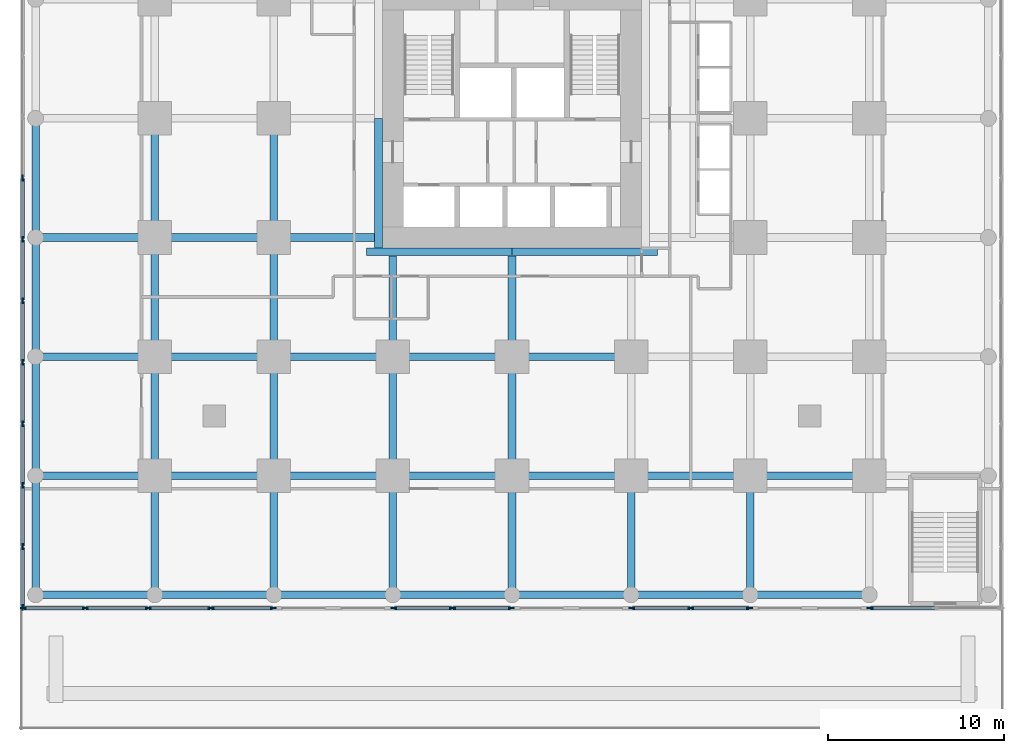
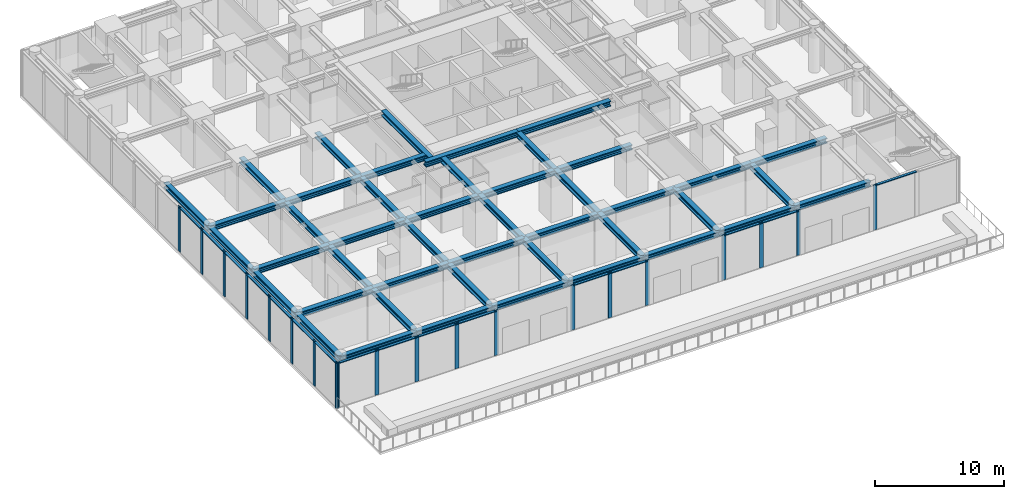
# One storey, part 2 of 10: 45 beams, 36 members, 5 elements without a shape of their own.
"""IFC4 building model written with IfcOpenShell, lengths in metres."""

from ifc_helpers import new_model, si_unit, direction, frame, origin, origin_2d, place, context, subcontext, project, spatial, rectangle, i_section, extrude, material, material_profile, profile_set, type_object, element, aggregate, save


model = new_model("IFC4")

# Units and contexts
model_context = context("Model", 3, precision=1e-05, world=origin(), true_north=direction((0.0, 1.0)))
body_context = subcontext(model_context, "Body", "Model", "MODEL_VIEW")
ifc_project = project(units=[si_unit("LENGTHUNIT", "METRE"), si_unit("AREAUNIT", "SQUARE_METRE"), si_unit("VOLUMEUNIT", "CUBIC_METRE"), si_unit("PLANEANGLEUNIT", "RADIAN"), si_unit("MASSUNIT", "GRAM", prefix="KILO")], contexts=[model_context])

# Site, building, storey
site_placement = place(None, origin())
site = spatial("IfcSite", under=ifc_project, at=site_placement, CompositionType="ELEMENT")
building_placement = place(site_placement, origin())
building = spatial("IfcBuilding", under=site, at=building_placement, Name="Nyansa Garden Tower", CompositionType="ELEMENT")
storey_placement = place(building_placement, frame((0.0, 0.0, 9.0)))
storey = spatial("IfcBuildingStorey", under=building, at=storey_placement, Name="L02", CompositionType="ELEMENT", Elevation=9.0)

# Curtain wall, members
ifc_material_1 = material(Name="Black anodised aluminium, clear double glazing", Category="aluminium")
curtain_wall_type = type_object("IfcCurtainWallType", Name="Podium curtain wall PCW", PredefinedType="USERDEFINED", material=ifc_material_1)
curtain_wall_1_placement = place(storey_placement, origin())
curtain_wall_1 = element("IfcCurtainWall", 1, at=curtain_wall_1_placement, inside=storey, type_object=curtain_wall_type, Name="Podium curtain wall L02 W", ObjectType="STICK CURTAIN WALL", PredefinedType="USERDEFINED")
ifc_material_2 = material(Name="Black anodised aluminium", Category="aluminium")
ifc_material_profile_1 = material_profile(ifc_material_2, rectangle(XDim=0.080078125, YDim=0.35009765625, at=origin_2d()), Name="Mullion 350x80")
ifc_profile_set_1 = profile_set([ifc_material_profile_1], Name="Black anodised aluminium")
member_type_1 = type_object("IfcMemberType", Name="Mullion PCW 350x80", PredefinedType="MULLION", material=ifc_profile_set_1)
member_1_placement = place(storey_placement, frame((-7.5, 16.875, 0.0), z_axis=(0.0, 0.0, 1.0), x_axis=(1.0, 0.0, 0.0)))
member_1 = element("IfcMember", 2, at=member_1_placement, type_object=member_type_1, Name="PCW mullion 8", PredefinedType="MULLION", context=body_context, shape_type="SweptSolid", body=[
    extrude(rectangle(XDim=0.080078125, YDim=0.35009765625, at=origin_2d()), origin(), (0.0, 0.0, 1.0), 4.25),
])
member_2_placement = place(storey_placement, frame((-7.5, 13.392822265625, 0.0), z_axis=(0.0, 0.0, 1.0), x_axis=(1.0, 0.0, 0.0)))
member_2 = element("IfcMember", 3, at=member_2_placement, type_object=member_type_1, Name="PCW mullion 9", PredefinedType="MULLION", context=body_context, shape_type="SweptSolid", body=[
    extrude(rectangle(XDim=0.080078125, YDim=0.35009765625, at=origin_2d()), origin(), (0.0, 0.0, 1.0), 4.25),
])
member_3_placement = place(storey_placement, frame((-7.5, 9.91064453125, 0.0), z_axis=(0.0, 0.0, 1.0), x_axis=(1.0, 0.0, 0.0)))
member_3 = element("IfcMember", 4, at=member_3_placement, type_object=member_type_1, Name="PCW mullion 10", PredefinedType="MULLION", context=body_context, shape_type="SweptSolid", body=[
    extrude(rectangle(XDim=0.080078125, YDim=0.35009765625, at=origin_2d()), origin(), (0.0, 0.0, 1.0), 4.25),
])
member_4_placement = place(storey_placement, frame((-7.5, 6.428466796875, 0.0), z_axis=(0.0, 0.0, 1.0), x_axis=(1.0, 0.0, 0.0)))
member_4 = element("IfcMember", 5, at=member_4_placement, type_object=member_type_1, Name="PCW mullion 11", PredefinedType="MULLION", context=body_context, shape_type="SweptSolid", body=[
    extrude(rectangle(XDim=0.080078125, YDim=0.35009765625, at=origin_2d()), origin(), (0.0, 0.0, 1.0), 4.25),
])
member_5_placement = place(storey_placement, frame((-7.5, 2.946533203125, 0.0), z_axis=(0.0, 0.0, 1.0), x_axis=(1.0, 0.0, 0.0)))
member_5 = element("IfcMember", 6, at=member_5_placement, type_object=member_type_1, Name="PCW mullion 12", PredefinedType="MULLION", context=body_context, shape_type="SweptSolid", body=[
    extrude(rectangle(XDim=0.080078125, YDim=0.35009765625, at=origin_2d()), origin(), (0.0, 0.0, 1.0), 4.25),
])
member_6_placement = place(storey_placement, frame((-7.5, -0.53564453125, 0.0), z_axis=(0.0, 0.0, 1.0), x_axis=(1.0, 0.0, 0.0)))
member_6 = element("IfcMember", 7, at=member_6_placement, type_object=member_type_1, Name="PCW mullion 13", PredefinedType="MULLION", context=body_context, shape_type="SweptSolid", body=[
    extrude(rectangle(XDim=0.080078125, YDim=0.35009765625, at=origin_2d()), origin(), (0.0, 0.0, 1.0), 4.25),
])
member_7_placement = place(storey_placement, frame((-7.5, -4.017822265625, 0.0), z_axis=(0.0, 0.0, 1.0), x_axis=(1.0, 0.0, 0.0)))
member_7 = element("IfcMember", 8, at=member_7_placement, type_object=member_type_1, Name="PCW mullion 14", PredefinedType="MULLION", context=body_context, shape_type="SweptSolid", body=[
    extrude(rectangle(XDim=0.080078125, YDim=0.35009765625, at=origin_2d()), origin(), (0.0, 0.0, 1.0), 4.25),
])
member_8_placement = place(storey_placement, frame((-7.5, -7.4599609375, 0.0), z_axis=(0.0, 0.0, 1.0), x_axis=(1.0, 0.0, 0.0)))
member_8 = element("IfcMember", 9, at=member_8_placement, type_object=member_type_1, Name="PCW mullion 15", PredefinedType="MULLION", context=body_context, shape_type="SweptSolid", body=[
    extrude(rectangle(XDim=0.080078125, YDim=0.35009765625, at=origin_2d()), origin(), (0.0, 0.0, 1.0), 4.25),
])

curtain_wall_2_placement = place(storey_placement, origin())
curtain_wall_2 = element("IfcCurtainWall", 10, at=curtain_wall_2_placement, inside=storey, type_object=curtain_wall_type, Name="Podium curtain wall L02 S", ObjectType="STICK CURTAIN WALL", PredefinedType="USERDEFINED")
member_9_placement = place(storey_placement, frame((-7.4599609375, -7.5, 0.0), z_axis=(0.0, 0.0, 1.0), x_axis=(0.0, 1.0, 0.0)))
member_9 = element("IfcMember", 11, at=member_9_placement, type_object=member_type_1, Name="PCW mullion 1", PredefinedType="MULLION", context=body_context, shape_type="SweptSolid", body=[
    extrude(rectangle(XDim=0.080078125, YDim=0.35009765625, at=origin_2d()), origin(), (0.0, 0.0, 1.0), 4.25),
])
member_10_placement = place(storey_placement, frame((-3.9375, -7.5, 0.0), z_axis=(0.0, 0.0, 1.0), x_axis=(0.0, 1.0, 0.0)))
member_10 = element("IfcMember", 12, at=member_10_placement, type_object=member_type_1, Name="PCW mullion 2", PredefinedType="MULLION", context=body_context, shape_type="SweptSolid", body=[
    extrude(rectangle(XDim=0.080078125, YDim=0.35009765625, at=origin_2d()), origin(), (0.0, 0.0, 1.0), 4.25),
])
member_11_placement = place(storey_placement, frame((-0.375, -7.5, 0.0), z_axis=(0.0, 0.0, 1.0), x_axis=(0.0, 1.0, 0.0)))
member_11 = element("IfcMember", 13, at=member_11_placement, type_object=member_type_1, Name="PCW mullion 3", PredefinedType="MULLION", context=body_context, shape_type="SweptSolid", body=[
    extrude(rectangle(XDim=0.080078125, YDim=0.35009765625, at=origin_2d()), origin(), (0.0, 0.0, 1.0), 4.25),
])
member_12_placement = place(storey_placement, frame((3.1875, -7.5, 0.0), z_axis=(0.0, 0.0, 1.0), x_axis=(0.0, 1.0, 0.0)))
member_12 = element("IfcMember", 14, at=member_12_placement, type_object=member_type_1, Name="PCW mullion 4", PredefinedType="MULLION", context=body_context, shape_type="SweptSolid", body=[
    extrude(rectangle(XDim=0.080078125, YDim=0.35009765625, at=origin_2d()), origin(), (0.0, 0.0, 1.0), 4.25),
])
member_13_placement = place(storey_placement, frame((6.7099609375, -7.5, 0.0), z_axis=(0.0, 0.0, 1.0), x_axis=(0.0, 1.0, 0.0)))
member_13 = element("IfcMember", 15, at=member_13_placement, type_object=member_type_1, Name="PCW mullion 5", PredefinedType="MULLION", context=body_context, shape_type="SweptSolid", body=[
    extrude(rectangle(XDim=0.080078125, YDim=0.35009765625, at=origin_2d()), origin(), (0.0, 0.0, 1.0), 4.25),
])

curtain_wall_3_placement = place(storey_placement, origin())
curtain_wall_3 = element("IfcCurtainWall", 16, at=curtain_wall_3_placement, inside=storey, type_object=curtain_wall_type, Name="Podium curtain wall L02 S", ObjectType="STICK CURTAIN WALL", PredefinedType="USERDEFINED")
member_14_placement = place(storey_placement, frame((13.5400390625, -7.5, 0.0), z_axis=(0.0, 0.0, 1.0), x_axis=(0.0, 1.0, 0.0)))
member_14 = element("IfcMember", 17, at=member_14_placement, type_object=member_type_1, Name="PCW mullion 1", PredefinedType="MULLION", context=body_context, shape_type="SweptSolid", body=[
    extrude(rectangle(XDim=0.080078125, YDim=0.35009765625, at=origin_2d()), origin(), (0.0, 0.0, 1.0), 4.25),
])
member_15_placement = place(storey_placement, frame((16.875, -7.5, 0.0), z_axis=(0.0, 0.0, 1.0), x_axis=(0.0, 1.0, 0.0)))
member_15 = element("IfcMember", 18, at=member_15_placement, type_object=member_type_1, Name="PCW mullion 2", PredefinedType="MULLION", context=body_context, shape_type="SweptSolid", body=[
    extrude(rectangle(XDim=0.080078125, YDim=0.35009765625, at=origin_2d()), origin(), (0.0, 0.0, 1.0), 4.25),
])
member_16_placement = place(storey_placement, frame((20.2099609375, -7.5, 0.0), z_axis=(0.0, 0.0, 1.0), x_axis=(0.0, 1.0, 0.0)))
member_16 = element("IfcMember", 19, at=member_16_placement, type_object=member_type_1, Name="PCW mullion 3", PredefinedType="MULLION", context=body_context, shape_type="SweptSolid", body=[
    extrude(rectangle(XDim=0.080078125, YDim=0.35009765625, at=origin_2d()), origin(), (0.0, 0.0, 1.0), 4.25),
])

curtain_wall_4_placement = place(storey_placement, origin())
curtain_wall_4 = element("IfcCurtainWall", 20, at=curtain_wall_4_placement, inside=storey, type_object=curtain_wall_type, Name="Podium curtain wall L02 S", ObjectType="STICK CURTAIN WALL", PredefinedType="USERDEFINED")
member_17_placement = place(storey_placement, frame((27.0400390625, -7.5, 0.0), z_axis=(0.0, 0.0, 1.0), x_axis=(0.0, 1.0, 0.0)))
member_17 = element("IfcMember", 21, at=member_17_placement, type_object=member_type_1, Name="PCW mullion 1", PredefinedType="MULLION", context=body_context, shape_type="SweptSolid", body=[
    extrude(rectangle(XDim=0.080078125, YDim=0.35009765625, at=origin_2d()), origin(), (0.0, 0.0, 1.0), 4.25),
])
member_18_placement = place(storey_placement, frame((30.375, -7.5, 0.0), z_axis=(0.0, 0.0, 1.0), x_axis=(0.0, 1.0, 0.0)))
member_18 = element("IfcMember", 22, at=member_18_placement, type_object=member_type_1, Name="PCW mullion 2", PredefinedType="MULLION", context=body_context, shape_type="SweptSolid", body=[
    extrude(rectangle(XDim=0.080078125, YDim=0.35009765625, at=origin_2d()), origin(), (0.0, 0.0, 1.0), 4.25),
])
member_19_placement = place(storey_placement, frame((33.7099609375, -7.5, 0.0), z_axis=(0.0, 0.0, 1.0), x_axis=(0.0, 1.0, 0.0)))
member_19 = element("IfcMember", 23, at=member_19_placement, type_object=member_type_1, Name="PCW mullion 3", PredefinedType="MULLION", context=body_context, shape_type="SweptSolid", body=[
    extrude(rectangle(XDim=0.080078125, YDim=0.35009765625, at=origin_2d()), origin(), (0.0, 0.0, 1.0), 4.25),
])

# Curtain wall, member
curtain_wall_5_placement = place(storey_placement, origin())
curtain_wall_5 = element("IfcCurtainWall", 24, at=curtain_wall_5_placement, inside=storey, type_object=curtain_wall_type, Name="Podium curtain wall L02 S", ObjectType="STICK CURTAIN WALL", PredefinedType="USERDEFINED")
member_20_placement = place(storey_placement, frame((40.5400390625, -7.5, 0.0), z_axis=(0.0, 0.0, 1.0), x_axis=(0.0, 1.0, 0.0)))
member_20 = element("IfcMember", 25, at=member_20_placement, type_object=member_type_1, Name="PCW mullion 1", PredefinedType="MULLION", context=body_context, shape_type="SweptSolid", body=[
    extrude(rectangle(XDim=0.080078125, YDim=0.35009765625, at=origin_2d()), origin(), (0.0, 0.0, 1.0), 4.25),
])

# Beams
ifc_material_3 = material(Name="Steel S355", Category="steel")
ifc_material_profile_2 = material_profile(ifc_material_3, i_section(OverallWidth=0.431884765625, OverallDepth=0.498046875, WebThickness=0.0556640625, FlangeThickness=0.0888671875, FilletRadius=0.014892578125, at=origin_2d()), Name="HD 400x744")
ifc_profile_set_2 = profile_set([ifc_material_profile_2], Name="Steel S355")
beam_type_1 = type_object("IfcBeamType", Name="Steel beam SBP1-744 HD 400x744", PredefinedType="BEAM", material=ifc_profile_set_2)
for number, where, z_axis, x_axis, name in (
    (26, (-6.75, 0.0, 4.0009765625), (1.0, 0.0, 0.0), (0.0, 1.0, 0.0), "Steel beam 1/D-2/D L03"),
    (27, (-6.75, 6.75, 4.0009765625), (1.0, 0.0, 0.0), (0.0, 1.0, 0.0), "Steel beam 1/E-2/E L03"),
    (28, (-6.75, 13.5, 4.0009765625), (1.0, 0.0, 0.0), (0.0, 1.0, 0.0), "Steel beam 1/F-2/F L03"),
    (29, (0.0, -6.75, 4.0009765625), (0.0, 1.0, 0.0), (-1.0, 0.0, 0.0), "Steel beam 2/C-2/D L03"),
    (30, (0.0, 0.0, 4.0009765625), (0.0, 1.0, 0.0), (-1.0, 0.0, 0.0), "Steel beam 2/D-2/E L03"),
    (31, (0.0, 0.0, 4.0009765625), (1.0, 0.0, 0.0), (0.0, 1.0, 0.0), "Steel beam 2/D-3/D L03"),
    (32, (0.0, 6.75, 4.0009765625), (0.0, 1.0, 0.0), (-1.0, 0.0, 0.0), "Steel beam 2/E-2/F L03"),
    (33, (0.0, 6.75, 4.0009765625), (1.0, 0.0, 0.0), (0.0, 1.0, 0.0), "Steel beam 2/E-3/E L03"),
    (34, (0.0, 13.5, 4.0009765625), (0.0, 1.0, 0.0), (-1.0, 0.0, 0.0), "Steel beam 2/F-2/G L03"),
    (35, (0.0, 13.5, 4.0009765625), (1.0, 0.0, 0.0), (0.0, 1.0, 0.0), "Steel beam 2/F-3/F L03"),
    (36, (6.75, -6.75, 4.0009765625), (0.0, 1.0, 0.0), (-1.0, 0.0, 0.0), "Steel beam 3/C-3/D L03"),
    (37, (6.75, 0.0, 4.0009765625), (0.0, 1.0, 0.0), (-1.0, 0.0, 0.0), "Steel beam 3/D-3/E L03"),
    (38, (6.75, 0.0, 4.0009765625), (1.0, 0.0, 0.0), (0.0, 1.0, 0.0), "Steel beam 3/D-4/D L03"),
    (39, (6.75, 6.75, 4.0009765625), (0.0, 1.0, 0.0), (-1.0, 0.0, 0.0), "Steel beam 3/E-3/F L03"),
    (40, (6.75, 6.75, 4.0009765625), (1.0, 0.0, 0.0), (0.0, 1.0, 0.0), "Steel beam 3/E-4/E L03"),
    (41, (6.75, 13.5, 4.0009765625), (0.0, 1.0, 0.0), (-1.0, 0.0, 0.0), "Steel beam 3/F-3/G L03"),
):
    element("IfcBeam", number, at=place(storey_placement, frame(where, z_axis=z_axis, x_axis=x_axis)), inside=storey, type_object=beam_type_1, Name=name, PredefinedType="BEAM", context=body_context, shape_type="SweptSolid", body=[
        extrude(i_section(OverallWidth=0.431884765625, OverallDepth=0.498046875, WebThickness=0.0556640625, FlangeThickness=0.0888671875, FilletRadius=0.014892578125, at=origin_2d()), origin(), (0.0, 0.0, 1.0), 6.75),
    ])
beam_1_placement = place(storey_placement, frame((6.75, 13.5, 4.0009765625), z_axis=(1.0, 0.0, 0.0), x_axis=(0.0, 1.0, 0.0)))
element("IfcBeam", 42, at=beam_1_placement, inside=storey, type_object=beam_type_1, Name="Steel beam 3/F-12.450/F L03", PredefinedType="BEAM", context=body_context, shape_type="SweptSolid", body=[
    extrude(i_section(OverallWidth=0.431884765625, OverallDepth=0.498046875, WebThickness=0.0556640625, FlangeThickness=0.0888671875, FilletRadius=0.014892578125, at=origin_2d()), origin(), (0.0, 0.0, 1.0), 5.699951171875),
])
for number, where, z_axis, x_axis, name in (
    (43, (13.5, -6.75, 4.0009765625), (0.0, 1.0, 0.0), (-1.0, 0.0, 0.0), "Steel beam 4/C-4/D L03"),
    (44, (13.5, 0.0, 4.0009765625), (0.0, 1.0, 0.0), (-1.0, 0.0, 0.0), "Steel beam 4/D-4/E L03"),
    (45, (13.5, 0.0, 4.0009765625), (1.0, 0.0, 0.0), (0.0, 1.0, 0.0), "Steel beam 4/D-5/D L03"),
):
    element("IfcBeam", number, at=place(storey_placement, frame(where, z_axis=z_axis, x_axis=x_axis)), inside=storey, type_object=beam_type_1, Name=name, PredefinedType="BEAM", context=body_context, shape_type="SweptSolid", body=[
        extrude(i_section(OverallWidth=0.431884765625, OverallDepth=0.498046875, WebThickness=0.0556640625, FlangeThickness=0.0888671875, FilletRadius=0.014892578125, at=origin_2d()), origin(), (0.0, 0.0, 1.0), 6.75),
    ])
beam_2_placement = place(storey_placement, frame((13.5, 6.75, 4.0009765625), z_axis=(0.0, 1.0, 0.0), x_axis=(-1.0, 0.0, 0.0)))
element("IfcBeam", 46, at=beam_2_placement, inside=storey, type_object=beam_type_1, Name="Steel beam 4/E-4/12.450 L03", PredefinedType="BEAM", context=body_context, shape_type="SweptSolid", body=[
    extrude(i_section(OverallWidth=0.431884765625, OverallDepth=0.498046875, WebThickness=0.0556640625, FlangeThickness=0.0888671875, FilletRadius=0.014892578125, at=origin_2d()), origin(), (0.0, 0.0, 1.0), 5.699951171875),
])
for number, where, z_axis, x_axis, name in (
    (47, (13.5, 6.75, 4.0009765625), (1.0, 0.0, 0.0), (0.0, 1.0, 0.0), "Steel beam 4/E-5/E L03"),
    (48, (20.25, -6.75, 4.0009765625), (0.0, 1.0, 0.0), (-1.0, 0.0, 0.0), "Steel beam 5/C-5/D L03"),
    (49, (20.25, 0.0, 4.0009765625), (0.0, 1.0, 0.0), (-1.0, 0.0, 0.0), "Steel beam 5/D-5/E L03"),
    (50, (20.25, 0.0, 4.0009765625), (1.0, 0.0, 0.0), (0.0, 1.0, 0.0), "Steel beam 5/D-6/D L03"),
):
    element("IfcBeam", number, at=place(storey_placement, frame(where, z_axis=z_axis, x_axis=x_axis)), inside=storey, type_object=beam_type_1, Name=name, PredefinedType="BEAM", context=body_context, shape_type="SweptSolid", body=[
        extrude(i_section(OverallWidth=0.431884765625, OverallDepth=0.498046875, WebThickness=0.0556640625, FlangeThickness=0.0888671875, FilletRadius=0.014892578125, at=origin_2d()), origin(), (0.0, 0.0, 1.0), 6.75),
    ])
beam_3_placement = place(storey_placement, frame((20.25, 6.75, 4.0009765625), z_axis=(0.0, 1.0, 0.0), x_axis=(-1.0, 0.0, 0.0)))
element("IfcBeam", 51, at=beam_3_placement, inside=storey, type_object=beam_type_1, Name="Steel beam 5/E-5/12.450 L03", PredefinedType="BEAM", context=body_context, shape_type="SweptSolid", body=[
    extrude(i_section(OverallWidth=0.431884765625, OverallDepth=0.498046875, WebThickness=0.0556640625, FlangeThickness=0.0888671875, FilletRadius=0.014892578125, at=origin_2d()), origin(), (0.0, 0.0, 1.0), 5.699951171875),
])
for number, where, z_axis, x_axis, name in (
    (52, (20.25, 6.75, 4.0009765625), (1.0, 0.0, 0.0), (0.0, 1.0, 0.0), "Steel beam 5/E-6/E L03"),
    (53, (27.0, -6.75, 4.0009765625), (0.0, 1.0, 0.0), (-1.0, 0.0, 0.0), "Steel beam 6/C-6/D L03"),
    (54, (27.0, 0.0, 4.0009765625), (1.0, 0.0, 0.0), (0.0, 1.0, 0.0), "Steel beam 6/D-7/D L03"),
    (55, (33.75, -6.75, 4.0009765625), (0.0, 1.0, 0.0), (-1.0, 0.0, 0.0), "Steel beam 7/C-7/D L03"),
    (56, (33.75, 0.0, 4.0009765625), (1.0, 0.0, 0.0), (0.0, 1.0, 0.0), "Steel beam 7/D-8/D L03"),
):
    element("IfcBeam", number, at=place(storey_placement, frame(where, z_axis=z_axis, x_axis=x_axis)), inside=storey, type_object=beam_type_1, Name=name, PredefinedType="BEAM", context=body_context, shape_type="SweptSolid", body=[
        extrude(i_section(OverallWidth=0.431884765625, OverallDepth=0.498046875, WebThickness=0.0556640625, FlangeThickness=0.0888671875, FilletRadius=0.014892578125, at=origin_2d()), origin(), (0.0, 0.0, 1.0), 6.75),
    ])
ifc_material_4 = material(Name="Steel S355", Category="steel")
ifc_material_profile_3 = material_profile(ifc_material_4, i_section(OverallWidth=0.431884765625, OverallDepth=0.498046875, WebThickness=0.0556640625, FlangeThickness=0.0888671875, FilletRadius=0.014892578125, at=origin_2d()), Name="HD 400x744")
ifc_profile_set_3 = profile_set([ifc_material_profile_3], Name="Steel S355")
beam_type_2 = type_object("IfcBeamType", Name="Steel beam SEBP-744 HD 400x744", PredefinedType="BEAM", material=ifc_profile_set_3)
for number, where, z_axis, x_axis, name in (
    (57, (-6.75, -6.75, 4.0009765625), (0.0, 1.0, 0.0), (-1.0, 0.0, 0.0), "Steel edge beam 1/C-1/D L03"),
    (58, (-6.75, -6.75, 4.0009765625), (1.0, 0.0, 0.0), (0.0, 1.0, 0.0), "Steel edge beam 1/C-2/C L03"),
    (59, (-6.75, 0.0, 4.0009765625), (0.0, 1.0, 0.0), (-1.0, 0.0, 0.0), "Steel edge beam 1/D-1/E L03"),
    (60, (-6.75, 6.75, 4.0009765625), (0.0, 1.0, 0.0), (-1.0, 0.0, 0.0), "Steel edge beam 1/E-1/F L03"),
    (61, (-6.75, 13.5, 4.0009765625), (0.0, 1.0, 0.0), (-1.0, 0.0, 0.0), "Steel edge beam 1/F-1/G L03"),
    (62, (0.0, -6.75, 4.0009765625), (1.0, 0.0, 0.0), (0.0, 1.0, 0.0), "Steel edge beam 2/C-3/C L03"),
    (63, (6.75, -6.75, 4.0009765625), (1.0, 0.0, 0.0), (0.0, 1.0, 0.0), "Steel edge beam 3/C-4/C L03"),
    (64, (13.5, -6.75, 4.0009765625), (1.0, 0.0, 0.0), (0.0, 1.0, 0.0), "Steel edge beam 4/C-5/C L03"),
    (65, (20.25, -6.75, 4.0009765625), (1.0, 0.0, 0.0), (0.0, 1.0, 0.0), "Steel edge beam 5/C-6/C L03"),
    (66, (27.0, -6.75, 4.0009765625), (1.0, 0.0, 0.0), (0.0, 1.0, 0.0), "Steel edge beam 6/C-7/C L03"),
    (67, (33.75, -6.75, 4.0009765625), (1.0, 0.0, 0.0), (0.0, 1.0, 0.0), "Steel edge beam 7/C-8/C L03"),
):
    element("IfcBeam", number, at=place(storey_placement, frame(where, z_axis=z_axis, x_axis=x_axis)), inside=storey, type_object=beam_type_2, Name=name, PredefinedType="BEAM", context=body_context, shape_type="SweptSolid", body=[
        extrude(i_section(OverallWidth=0.431884765625, OverallDepth=0.498046875, WebThickness=0.0556640625, FlangeThickness=0.0888671875, FilletRadius=0.014892578125, at=origin_2d()), origin(), (0.0, 0.0, 1.0), 6.75),
    ])
ifc_material_5 = material(Name="Steel S355", Category="steel")
ifc_material_profile_4 = material_profile(ifc_material_5, i_section(OverallWidth=0.431884765625, OverallDepth=0.498046875, WebThickness=0.0556640625, FlangeThickness=0.0888671875, FilletRadius=0.014892578125, at=origin_2d()), Name="HD 400x744")
ifc_profile_set_4 = profile_set([ifc_material_profile_4], Name="Steel S355")
beam_type_3 = type_object("IfcBeamType", Name="Steel beam SLB1-744 HD 400x744", PredefinedType="BEAM", material=ifc_profile_set_4)
for number, where, z_axis, x_axis, name in (
    (68, (12.0, 12.68408203125, 4.0009765625), (1.0, 0.0, 0.0), (0.0, 1.0, 0.0), "Steel core ledger beam S.1 L03"),
    (69, (20.25, 12.68408203125, 4.0009765625), (1.0, 0.0, 0.0), (0.0, 1.0, 0.0), "Steel core ledger beam S.2 L03"),
):
    element("IfcBeam", number, at=place(storey_placement, frame(where, z_axis=z_axis, x_axis=x_axis)), inside=storey, type_object=beam_type_3, Name=name, PredefinedType="BEAM", context=body_context, shape_type="SweptSolid", body=[
        extrude(i_section(OverallWidth=0.431884765625, OverallDepth=0.498046875, WebThickness=0.0556640625, FlangeThickness=0.0888671875, FilletRadius=0.014892578125, at=origin_2d()), origin(), (0.0, 0.0, 1.0), 8.25),
    ])
beam_4_placement = place(storey_placement, frame((12.68408203125, 20.25, 4.0009765625), z_axis=(0.0, -1.0, 0.0), x_axis=(1.0, 0.0, 0.0)))
element("IfcBeam", 70, at=beam_4_placement, inside=storey, type_object=beam_type_3, Name="Steel core ledger beam W.2 L03", PredefinedType="BEAM", context=body_context, shape_type="SweptSolid", body=[
    extrude(i_section(OverallWidth=0.431884765625, OverallDepth=0.498046875, WebThickness=0.0556640625, FlangeThickness=0.0888671875, FilletRadius=0.014892578125, at=origin_2d()), origin(), (0.0, 0.0, 1.0), 7.35009765625),
])

# Member
ifc_material_6 = material(Name="Black anodised aluminium", Category="aluminium")
ifc_material_profile_5 = material_profile(ifc_material_6, rectangle(XDim=0.219970703125, YDim=0.080078125, at=origin_2d()), Name="Transom 220x80")
ifc_profile_set_5 = profile_set([ifc_material_profile_5], Name="Black anodised aluminium")
member_type_2 = type_object("IfcMemberType", Name="Transom PCW 220x80", PredefinedType="USERDEFINED", material=ifc_profile_set_5)
member_21_placement = place(storey_placement, frame((-7.5, 16.8349609375, 4.2099609375), z_axis=(0.0, -1.0, 0.0), x_axis=(1.0, 0.0, 0.0)))
member_21 = element("IfcMember", 71, at=member_21_placement, type_object=member_type_2, Name="PCW transom 8", ObjectType="TRANSOM", PredefinedType="USERDEFINED", context=body_context, shape_type="SweptSolid", body=[
    extrude(rectangle(XDim=0.219970703125, YDim=0.080078125, at=origin_2d()), origin(), (0.0, 0.0, 1.0), 3.402099609375),
])

member_22_placement = place(storey_placement, frame((-7.5, 13.352783203125, 4.2099609375), z_axis=(0.0, -1.0, 0.0), x_axis=(1.0, 0.0, 0.0)))
member_22 = element("IfcMember", 72, at=member_22_placement, type_object=member_type_2, Name="PCW transom 9", ObjectType="TRANSOM", PredefinedType="USERDEFINED", context=body_context, shape_type="SweptSolid", body=[
    extrude(rectangle(XDim=0.219970703125, YDim=0.080078125, at=origin_2d()), origin(), (0.0, 0.0, 1.0), 3.402099609375),
])

member_23_placement = place(storey_placement, frame((-7.5, 9.87060546875, 4.2099609375), z_axis=(0.0, -1.0, 0.0), x_axis=(1.0, 0.0, 0.0)))
member_23 = element("IfcMember", 73, at=member_23_placement, type_object=member_type_2, Name="PCW transom 10", ObjectType="TRANSOM", PredefinedType="USERDEFINED", context=body_context, shape_type="SweptSolid", body=[
    extrude(rectangle(XDim=0.219970703125, YDim=0.080078125, at=origin_2d()), origin(), (0.0, 0.0, 1.0), 3.402099609375),
])

member_24_placement = place(storey_placement, frame((-7.5, 6.388671875, 4.2099609375), z_axis=(0.0, -1.0, 0.0), x_axis=(1.0, 0.0, 0.0)))
member_24 = element("IfcMember", 74, at=member_24_placement, type_object=member_type_2, Name="PCW transom 11", ObjectType="TRANSOM", PredefinedType="USERDEFINED", context=body_context, shape_type="SweptSolid", body=[
    extrude(rectangle(XDim=0.219970703125, YDim=0.080078125, at=origin_2d()), origin(), (0.0, 0.0, 1.0), 3.40234375),
])

member_25_placement = place(storey_placement, frame((-7.5, 2.906494140625, 4.2099609375), z_axis=(0.0, -1.0, 0.0), x_axis=(1.0, 0.0, 0.0)))
member_25 = element("IfcMember", 75, at=member_25_placement, type_object=member_type_2, Name="PCW transom 12", ObjectType="TRANSOM", PredefinedType="USERDEFINED", context=body_context, shape_type="SweptSolid", body=[
    extrude(rectangle(XDim=0.219970703125, YDim=0.080078125, at=origin_2d()), origin(), (0.0, 0.0, 1.0), 3.402099609375),
])

member_26_placement = place(storey_placement, frame((-7.5, -0.57568359375, 4.2099609375), z_axis=(0.0, -1.0, 0.0), x_axis=(1.0, 0.0, 0.0)))
member_26 = element("IfcMember", 76, at=member_26_placement, type_object=member_type_2, Name="PCW transom 13", ObjectType="TRANSOM", PredefinedType="USERDEFINED", context=body_context, shape_type="SweptSolid", body=[
    extrude(rectangle(XDim=0.219970703125, YDim=0.080078125, at=origin_2d()), origin(), (0.0, 0.0, 1.0), 3.402099609375),
])

member_27_placement = place(storey_placement, frame((-7.5, -4.057861328125, 4.2099609375), z_axis=(0.0, -1.0, 0.0), x_axis=(1.0, 0.0, 0.0)))
member_27 = element("IfcMember", 77, at=member_27_placement, type_object=member_type_2, Name="PCW transom 14", ObjectType="TRANSOM", PredefinedType="USERDEFINED", context=body_context, shape_type="SweptSolid", body=[
    extrude(rectangle(XDim=0.219970703125, YDim=0.080078125, at=origin_2d()), origin(), (0.0, 0.0, 1.0), 3.362060546875),
])

aggregate(curtain_wall_1, [member_1, member_2, member_3, member_4, member_5, member_6, member_7, member_8, member_21, member_22, member_23, member_24, member_25, member_26, member_27])

member_28_placement = place(storey_placement, frame((-7.419921875, -7.5, 4.2099609375), z_axis=(1.0, 0.0, 0.0), x_axis=(0.0, 1.0, 0.0)))
member_28 = element("IfcMember", 78, at=member_28_placement, type_object=member_type_2, Name="PCW transom 1", ObjectType="TRANSOM", PredefinedType="USERDEFINED", context=body_context, shape_type="SweptSolid", body=[
    extrude(rectangle(XDim=0.219970703125, YDim=0.080078125, at=origin_2d()), origin(), (0.0, 0.0, 1.0), 3.4423828125),
])

member_29_placement = place(storey_placement, frame((-3.8974609375, -7.5, 4.2099609375), z_axis=(1.0, 0.0, 0.0), x_axis=(0.0, 1.0, 0.0)))
member_29 = element("IfcMember", 79, at=member_29_placement, type_object=member_type_2, Name="PCW transom 2", ObjectType="TRANSOM", PredefinedType="USERDEFINED", context=body_context, shape_type="SweptSolid", body=[
    extrude(rectangle(XDim=0.219970703125, YDim=0.080078125, at=origin_2d()), origin(), (0.0, 0.0, 1.0), 3.482421875),
])

member_30_placement = place(storey_placement, frame((-0.3349609375, -7.5, 4.2099609375), z_axis=(1.0, 0.0, 0.0), x_axis=(0.0, 1.0, 0.0)))
member_30 = element("IfcMember", 80, at=member_30_placement, type_object=member_type_2, Name="PCW transom 3", ObjectType="TRANSOM", PredefinedType="USERDEFINED", context=body_context, shape_type="SweptSolid", body=[
    extrude(rectangle(XDim=0.219970703125, YDim=0.080078125, at=origin_2d()), origin(), (0.0, 0.0, 1.0), 3.482421875),
])

member_31_placement = place(storey_placement, frame((3.2275390625, -7.5, 4.2099609375), z_axis=(1.0, 0.0, 0.0), x_axis=(0.0, 1.0, 0.0)))
member_31 = element("IfcMember", 81, at=member_31_placement, type_object=member_type_2, Name="PCW transom 4", ObjectType="TRANSOM", PredefinedType="USERDEFINED", context=body_context, shape_type="SweptSolid", body=[
    extrude(rectangle(XDim=0.219970703125, YDim=0.080078125, at=origin_2d()), origin(), (0.0, 0.0, 1.0), 3.4423828125),
])

aggregate(curtain_wall_2, [member_9, member_10, member_11, member_12, member_13, member_28, member_29, member_30, member_31])

member_32_placement = place(storey_placement, frame((13.580078125, -7.5, 4.2099609375), z_axis=(1.0, 0.0, 0.0), x_axis=(0.0, 1.0, 0.0)))
member_32 = element("IfcMember", 82, at=member_32_placement, type_object=member_type_2, Name="PCW transom 1", ObjectType="TRANSOM", PredefinedType="USERDEFINED", context=body_context, shape_type="SweptSolid", body=[
    extrude(rectangle(XDim=0.219970703125, YDim=0.080078125, at=origin_2d()), origin(), (0.0, 0.0, 1.0), 3.2548828125),
])

member_33_placement = place(storey_placement, frame((16.9150390625, -7.5, 4.2099609375), z_axis=(1.0, 0.0, 0.0), x_axis=(0.0, 1.0, 0.0)))
member_33 = element("IfcMember", 83, at=member_33_placement, type_object=member_type_2, Name="PCW transom 2", ObjectType="TRANSOM", PredefinedType="USERDEFINED", context=body_context, shape_type="SweptSolid", body=[
    extrude(rectangle(XDim=0.219970703125, YDim=0.080078125, at=origin_2d()), origin(), (0.0, 0.0, 1.0), 3.2548828125),
])

aggregate(curtain_wall_3, [member_14, member_15, member_16, member_32, member_33])

member_34_placement = place(storey_placement, frame((27.080078125, -7.5, 4.2099609375), z_axis=(1.0, 0.0, 0.0), x_axis=(0.0, 1.0, 0.0)))
member_34 = element("IfcMember", 84, at=member_34_placement, type_object=member_type_2, Name="PCW transom 1", ObjectType="TRANSOM", PredefinedType="USERDEFINED", context=body_context, shape_type="SweptSolid", body=[
    extrude(rectangle(XDim=0.219970703125, YDim=0.080078125, at=origin_2d()), origin(), (0.0, 0.0, 1.0), 3.2548828125),
])

member_35_placement = place(storey_placement, frame((30.4150390625, -7.5, 4.2099609375), z_axis=(1.0, 0.0, 0.0), x_axis=(0.0, 1.0, 0.0)))
member_35 = element("IfcMember", 85, at=member_35_placement, type_object=member_type_2, Name="PCW transom 2", ObjectType="TRANSOM", PredefinedType="USERDEFINED", context=body_context, shape_type="SweptSolid", body=[
    extrude(rectangle(XDim=0.219970703125, YDim=0.080078125, at=origin_2d()), origin(), (0.0, 0.0, 1.0), 3.2548828125),
])

aggregate(curtain_wall_4, [member_17, member_18, member_19, member_34, member_35])

member_36_placement = place(storey_placement, frame((40.580078125, -7.5, 4.2099609375), z_axis=(1.0, 0.0, 0.0), x_axis=(0.0, 1.0, 0.0)))
member_36 = element("IfcMember", 86, at=member_36_placement, type_object=member_type_2, Name="PCW transom 1", ObjectType="TRANSOM", PredefinedType="USERDEFINED", context=body_context, shape_type="SweptSolid", body=[
    extrude(rectangle(XDim=0.219970703125, YDim=0.080078125, at=origin_2d()), origin(), (0.0, 0.0, 1.0), 3.6298828125),
])

aggregate(curtain_wall_5, [member_20, member_36])

save(model, "model.ifc")
